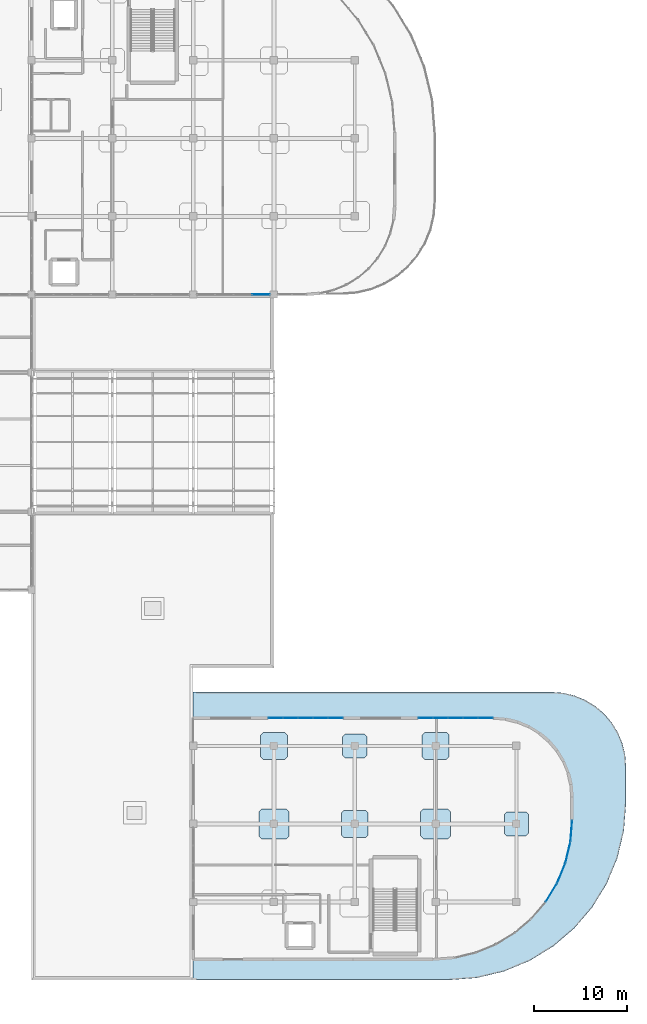
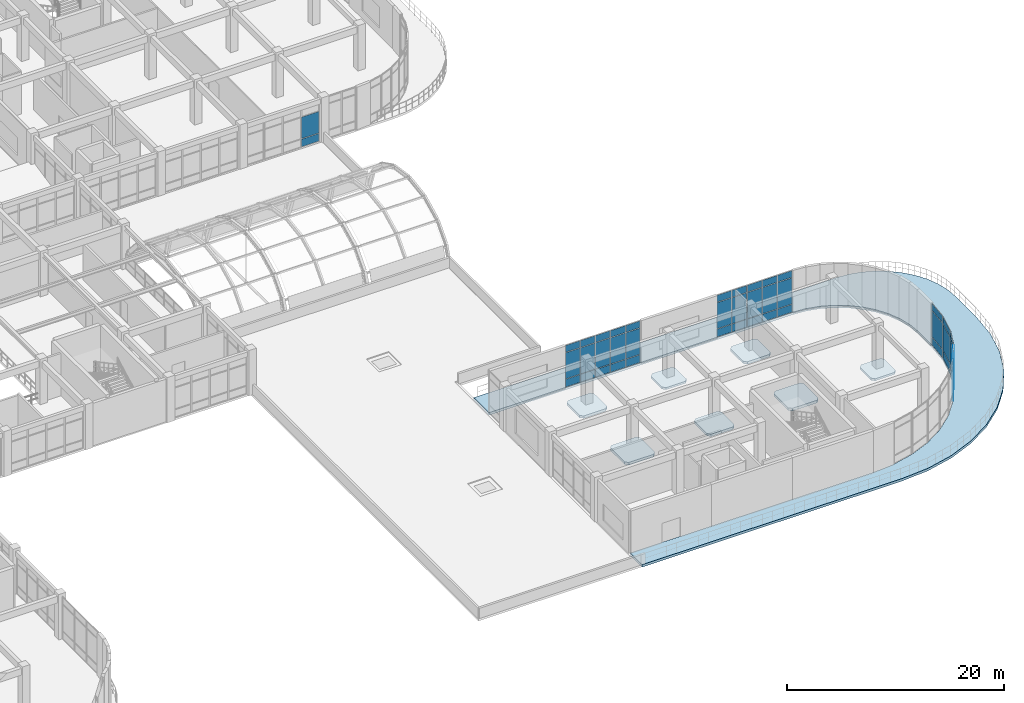
# One storey, part 101 of 124: 44 plates, 8 slabs, 7 elements without a shape of their own.
"""IFC4 building model written with IfcOpenShell, lengths in metres."""

from ifc_helpers import new_model, si_unit, derived_unit, direction, frame, origin, origin_2d, place, context, subcontext, project, spatial, polyline, rectangle, outline, extrude, material, layer, layer_set, type_object, element, aggregate, save


model = new_model("IFC4")

# Units and contexts
model_context = context("Model", 3, precision=1e-05, world=origin(), true_north=direction((0.0, 1.0)))
body_context = subcontext(model_context, "Body", "Model", "MODEL_VIEW")
ifc_project = project(units=[si_unit("LENGTHUNIT", "METRE"), si_unit("AREAUNIT", "SQUARE_METRE"), si_unit("VOLUMEUNIT", "CUBIC_METRE"), si_unit("PLANEANGLEUNIT", "RADIAN"), si_unit("MASSUNIT", "GRAM", prefix="KILO"), derived_unit("THERMALTRANSMITTANCEUNIT", [(si_unit("MASSUNIT", "GRAM", prefix="KILO"), 1), (si_unit("TIMEUNIT", "SECOND"), -3), (si_unit("THERMODYNAMICTEMPERATUREUNIT", "KELVIN"), -1)])], contexts=[model_context])

# Site, building, storey
site_placement = place(None, origin())
site = spatial("IfcSite", under=ifc_project, at=site_placement, CompositionType="ELEMENT")
building_placement = place(site_placement, origin())
building = spatial("IfcBuilding", under=site, at=building_placement, Name="Qinzheling Arcade Emporium", CompositionType="ELEMENT")
storey_placement = place(building_placement, frame((0.0, 0.0, 16.5)))
storey = spatial("IfcBuildingStorey", under=building, at=storey_placement, Name="L04", CompositionType="ELEMENT", Elevation=16.5)

# Slabs
ifc_material_1 = material(Name="Concrete C40", Category="concrete")
ifc_layer_1 = layer(ifc_material_1, 0.235107421875, Name="Concrete C40", Category="concrete")
ifc_layer_set_1 = layer_set([ifc_layer_1], Name="Concrete C40")
slab_type_1 = type_object("IfcSlabType", Name="Column Head Drop Panel 2600x2600x235 C40", PredefinedType="USERDEFINED", material=ifc_layer_set_1)
slab_1_placement = place(storey_placement, frame((0.0, 0.0, -0.530029296875)))
element("IfcSlab", 1, at=slab_1_placement, inside=storey, type_object=slab_type_1, Name="Column Drop Panel DP-L04-17-D", ObjectType="DROP_PANEL", PredefinedType="USERDEFINED", context=body_context, shape_type="SweptSolid", body=[
    extrude(outline(polyline([(138.179931640625, 23.89990234375), (140.219970703125, 23.89990234375), (140.5, 24.179931640625), (140.5, 26.219970703125), (140.219970703125, 26.5), (138.179931640625, 26.5), (137.89990234375, 26.219970703125), (137.89990234375, 24.179931640625), (138.179931640625, 23.89990234375)])), origin(), (0.0, 0.0, 1.0), 0.235107421875),
])
slab_2_placement = place(storey_placement, frame((0.0, 0.0, -0.530029296875)))
element("IfcSlab", 2, at=slab_2_placement, inside=storey, type_object=slab_type_1, Name="Column Drop Panel DP-L04-19-C", ObjectType="DROP_PANEL", PredefinedType="USERDEFINED", context=body_context, shape_type="SweptSolid", body=[
    extrude(outline(polyline([(155.580078125, 15.5), (157.6201171875, 15.5), (157.89990234375, 15.780029296875), (157.89990234375, 17.820068359375), (157.6201171875, 18.10009765625), (155.580078125, 18.10009765625), (155.300048828125, 17.820068359375), (155.300048828125, 15.780029296875), (155.580078125, 15.5)])), origin(), (0.0, 0.0, 1.0), 0.235107421875),
])
ifc_layer_2 = layer(ifc_material_1, 0.27001953125, Name="Concrete C40", Category="concrete")
ifc_layer_set_2 = layer_set([ifc_layer_2], Name="Concrete C40")
slab_type_2 = type_object("IfcSlabType", Name="Column Head Drop Panel 2900x2900x270 C40", PredefinedType="USERDEFINED", material=ifc_layer_set_2)
slab_3_placement = place(storey_placement, frame((0.0, 0.0, -0.56494140625)))
element("IfcSlab", 3, at=slab_3_placement, inside=storey, type_object=slab_type_2, Name="Column Drop Panel DP-L04-16-D", ObjectType="DROP_PANEL", PredefinedType="USERDEFINED", context=body_context, shape_type="SweptSolid", body=[
    extrude(outline(polyline([(129.330078125, 23.75), (131.669921875, 23.75), (131.949951171875, 24.030029296875), (131.949951171875, 26.3701171875), (131.669921875, 26.64990234375), (129.330078125, 26.64990234375), (129.050048828125, 26.3701171875), (129.050048828125, 24.030029296875), (129.330078125, 23.75)])), origin(), (0.0, 0.0, 1.0), 0.27001953125),
])
slab_4_placement = place(storey_placement, frame((0.0, 0.0, -0.56494140625)))
element("IfcSlab", 4, at=slab_4_placement, inside=storey, type_object=slab_type_2, Name="Column Drop Panel DP-L04-17-C", ObjectType="DROP_PANEL", PredefinedType="USERDEFINED", context=body_context, shape_type="SweptSolid", body=[
    extrude(outline(polyline([(138.030029296875, 15.35009765625), (140.3701171875, 15.35009765625), (140.64990234375, 15.6298828125), (140.64990234375, 17.969970703125), (140.3701171875, 18.25), (138.030029296875, 18.25), (137.75, 17.969970703125), (137.75, 15.6298828125), (138.030029296875, 15.35009765625)])), origin(), (0.0, 0.0, 1.0), 0.27001953125),
])
slab_5_placement = place(storey_placement, frame((0.0, 0.0, -0.56494140625)))
element("IfcSlab", 5, at=slab_5_placement, inside=storey, type_object=slab_type_2, Name="Column Drop Panel DP-L04-18-D", ObjectType="DROP_PANEL", PredefinedType="USERDEFINED", context=body_context, shape_type="SweptSolid", body=[
    extrude(outline(polyline([(146.72998046875, 23.75), (149.070068359375, 23.75), (149.35009765625, 24.030029296875), (149.35009765625, 26.3701171875), (149.070068359375, 26.64990234375), (146.72998046875, 26.64990234375), (146.449951171875, 26.3701171875), (146.449951171875, 24.030029296875), (146.72998046875, 23.75)])), origin(), (0.0, 0.0, 1.0), 0.27001953125),
])
ifc_layer_3 = layer(ifc_material_1, 0.300048828125, Name="Concrete C40", Category="concrete")
ifc_layer_set_3 = layer_set([ifc_layer_3], Name="Concrete C40")
slab_type_3 = type_object("IfcSlabType", Name="Column Head Drop Panel 3200x3200x300 C40", PredefinedType="USERDEFINED", material=ifc_layer_set_3)
slab_6_placement = place(storey_placement, frame((0.0, 0.0, -0.594970703125)))
element("IfcSlab", 6, at=slab_6_placement, inside=storey, type_object=slab_type_3, Name="Column Drop Panel DP-L04-16-C", ObjectType="DROP_PANEL", PredefinedType="USERDEFINED", context=body_context, shape_type="SweptSolid", body=[
    extrude(outline(polyline([(129.179931640625, 15.199951171875), (131.820068359375, 15.199951171875), (132.10009765625, 15.47998046875), (132.10009765625, 18.1201171875), (131.820068359375, 18.39990234375), (129.179931640625, 18.39990234375), (128.89990234375, 18.1201171875), (128.89990234375, 15.47998046875), (129.179931640625, 15.199951171875)])), origin(), (0.0, 0.0, 1.0), 0.300048828125),
])
slab_7_placement = place(storey_placement, frame((0.0, 0.0, -0.594970703125)))
element("IfcSlab", 7, at=slab_7_placement, inside=storey, type_object=slab_type_3, Name="Column Drop Panel DP-L04-18-C", ObjectType="DROP_PANEL", PredefinedType="USERDEFINED", context=body_context, shape_type="SweptSolid", body=[
    extrude(outline(polyline([(146.580078125, 15.199951171875), (149.219970703125, 15.199951171875), (149.5, 15.47998046875), (149.5, 18.1201171875), (149.219970703125, 18.39990234375), (146.580078125, 18.39990234375), (146.300048828125, 18.1201171875), (146.300048828125, 15.47998046875), (146.580078125, 15.199951171875)])), origin(), (0.0, 0.0, 1.0), 0.300048828125),
])

# Curtain wall, plates
ifc_material_2 = material(Name="Anodised aluminium and solar-control double glazing", Category="aluminium")
ifc_layer_4 = layer(ifc_material_2, 0.159912109375, Name="Anodised aluminium and solar-control double glazing", Category="aluminium")
ifc_layer_set_4 = layer_set([ifc_layer_4], Name="Anodised aluminium and solar-control double glazing")
curtain_wall_type_1 = type_object("IfcCurtainWallType", Name="Food Hall Loggia Curtain Wall", PredefinedType="NOTDEFINED", material=ifc_layer_set_4)
curtain_wall_1_placement = place(storey_placement, origin())
curtain_wall_1 = element("IfcCurtainWall", 8, at=curtain_wall_1_placement, inside=storey, type_object=curtain_wall_type_1, Name="Curtain Wall CW-L04-208", PredefinedType="NOTDEFINED")
ifc_material_3 = material(Name="Laminated solar-control double glazing", Category="glass")
ifc_layer_5 = layer(ifc_material_3, 0.02490234375, Name="Laminated solar-control double glazing", Category="glass")
ifc_layer_set_5 = layer_set([ifc_layer_5], Name="Laminated solar-control double glazing")
plate_type_1 = type_object("IfcPlateType", Name="Low-E Double Glazed Curtain Panel 25mm", PredefinedType="CURTAIN_PANEL", material=ifc_layer_set_5)
plate_1_placement = place(storey_placement, frame((162.507568359375, 16.026611328125, 0.06005859375), z_axis=(0.0, 0.0, 1.0), x_axis=(-0.078580290076, -0.996907788119, 0.0)))
plate_1 = element("IfcPlate", 9, at=plate_1_placement, type_object=plate_type_1, Name="CW04 panel 1.1", PredefinedType="CURTAIN_PANEL", context=body_context, shape_type="SweptSolid", body=[
    extrude(rectangle(XDim=2.234375, YDim=0.02490234375, at=origin_2d()), origin(), (0.0, 0.0, 1.0), 0.860107421875),
])
plate_2_placement = place(storey_placement, frame((162.507568359375, 16.026611328125, 0.97998046875), z_axis=(0.0, 0.0, 1.0), x_axis=(-0.078580290076, -0.996907788119, 0.0)))
plate_2 = element("IfcPlate", 10, at=plate_2_placement, type_object=plate_type_1, Name="CW04 panel 1.2", PredefinedType="CURTAIN_PANEL", context=body_context, shape_type="SweptSolid", body=[
    extrude(rectangle(XDim=2.234375, YDim=0.02490234375, at=origin_2d()), origin(), (0.0, 0.0, 1.0), 2.929931640625),
])
plate_3_placement = place(storey_placement, frame((162.507568359375, 16.026611328125, 3.97021484375), z_axis=(0.0, 0.0, 1.0), x_axis=(-0.078580290076, -0.996907788119, 0.0)))
plate_3 = element("IfcPlate", 11, at=plate_3_placement, type_object=plate_type_1, Name="CW04 panel 1.3", PredefinedType="CURTAIN_PANEL", context=body_context, shape_type="SweptSolid", body=[
    extrude(rectangle(XDim=2.234375, YDim=0.02490234375, at=origin_2d()), origin(), (0.0, 0.0, 1.0), 0.760009765625),
])
aggregate(curtain_wall_1, [plate_1, plate_2, plate_3])

ifc_layer_6 = layer(ifc_material_2, 0.159912109375, Name="Anodised aluminium and solar-control double glazing", Category="aluminium")
ifc_layer_set_6 = layer_set([ifc_layer_6], Name="Anodised aluminium and solar-control double glazing")
curtain_wall_type_2 = type_object("IfcCurtainWallType", Name="Curved Ribbon Sales Curtain Wall", PredefinedType="NOTDEFINED", material=ifc_layer_set_6)
curtain_wall_2_placement = place(storey_placement, origin())
curtain_wall_2 = element("IfcCurtainWall", 12, at=curtain_wall_2_placement, inside=storey, type_object=curtain_wall_type_2, Name="Curtain Wall CW-L04-209", PredefinedType="NOTDEFINED")
ifc_layer_7 = layer(ifc_material_3, 0.02587890625, Name="Laminated solar-control double glazing", Category="glass")
ifc_layer_set_7 = layer_set([ifc_layer_7], Name="Laminated solar-control double glazing")
plate_type_2 = type_object("IfcPlateType", Name="Low-E Double Glazed Curtain Panel 26mm", PredefinedType="CURTAIN_PANEL", material=ifc_layer_set_7)
plate_4_placement = place(storey_placement, frame((162.140380859375, 13.708984375, 0.06005859375), z_axis=(0.0, 0.0, 1.0), x_axis=(-0.233324729854, -0.972398874145, 0.0)))
plate_4 = element("IfcPlate", 13, at=plate_4_placement, type_object=plate_type_2, Name="CW02 panel 1.1", PredefinedType="CURTAIN_PANEL", context=body_context, shape_type="SweptSolid", body=[
    extrude(rectangle(XDim=2.23291015625, YDim=0.02587890625, at=origin_2d()), origin(), (0.0, 0.0, 1.0), 0.860107421875),
])
plate_5_placement = place(storey_placement, frame((162.140380859375, 13.708984375, 0.97998046875), z_axis=(0.0, 0.0, 1.0), x_axis=(-0.233324729854, -0.972398874145, 0.0)))
plate_5 = element("IfcPlate", 14, at=plate_5_placement, type_object=plate_type_2, Name="CW02 panel 1.2", PredefinedType="CURTAIN_PANEL", context=body_context, shape_type="SweptSolid", body=[
    extrude(rectangle(XDim=2.23291015625, YDim=0.02587890625, at=origin_2d()), origin(), (0.0, 0.0, 1.0), 2.929931640625),
])
plate_6_placement = place(storey_placement, frame((162.140380859375, 13.708984375, 3.97021484375), z_axis=(0.0, 0.0, 1.0), x_axis=(-0.233324729854, -0.972398874145, 0.0)))
plate_6 = element("IfcPlate", 15, at=plate_6_placement, type_object=plate_type_2, Name="CW02 panel 1.3", PredefinedType="CURTAIN_PANEL", context=body_context, shape_type="SweptSolid", body=[
    extrude(rectangle(XDim=2.23291015625, YDim=0.02587890625, at=origin_2d()), origin(), (0.0, 0.0, 1.0), 0.760009765625),
])
aggregate(curtain_wall_2, [plate_4, plate_5, plate_6])

curtain_wall_3_placement = place(storey_placement, origin())
curtain_wall_3 = element("IfcCurtainWall", 16, at=curtain_wall_3_placement, inside=storey, type_object=curtain_wall_type_2, Name="Curtain Wall CW-L04-210", PredefinedType="NOTDEFINED")
ifc_layer_8 = layer(ifc_material_3, 0.027099609375, Name="Laminated solar-control double glazing", Category="glass")
ifc_layer_set_8 = layer_set([ifc_layer_8], Name="Laminated solar-control double glazing")
plate_type_3 = type_object("IfcPlateType", Name="Low-E Double Glazed Curtain Panel 27mm", PredefinedType="CURTAIN_PANEL", material=ifc_layer_set_8)
plate_7_placement = place(storey_placement, frame((161.41552734375, 11.4775390625, 0.06005859375), z_axis=(0.0, 0.0, 1.0), x_axis=(-0.382714431752, -0.923866691535, 0.0)))
plate_7 = element("IfcPlate", 17, at=plate_7_placement, type_object=plate_type_3, Name="CW02 panel 1.1", PredefinedType="CURTAIN_PANEL", context=body_context, shape_type="SweptSolid", body=[
    extrude(rectangle(XDim=2.234130859375, YDim=0.027099609375, at=origin_2d()), origin(), (0.0, 0.0, 1.0), 0.860107421875),
])
plate_8_placement = place(storey_placement, frame((161.41552734375, 11.4775390625, 0.97998046875), z_axis=(0.0, 0.0, 1.0), x_axis=(-0.382714431752, -0.923866691535, 0.0)))
plate_8 = element("IfcPlate", 18, at=plate_8_placement, type_object=plate_type_3, Name="CW02 panel 1.2", PredefinedType="CURTAIN_PANEL", context=body_context, shape_type="SweptSolid", body=[
    extrude(rectangle(XDim=2.234130859375, YDim=0.027099609375, at=origin_2d()), origin(), (0.0, 0.0, 1.0), 2.929931640625),
])
plate_9_placement = place(storey_placement, frame((161.41552734375, 11.4775390625, 3.97021484375), z_axis=(0.0, 0.0, 1.0), x_axis=(-0.382714431752, -0.923866691535, 0.0)))
plate_9 = element("IfcPlate", 19, at=plate_9_placement, type_object=plate_type_3, Name="CW02 panel 1.3", PredefinedType="CURTAIN_PANEL", context=body_context, shape_type="SweptSolid", body=[
    extrude(rectangle(XDim=2.234130859375, YDim=0.027099609375, at=origin_2d()), origin(), (0.0, 0.0, 1.0), 0.760009765625),
])
aggregate(curtain_wall_3, [plate_7, plate_8, plate_9])

curtain_wall_4_placement = place(storey_placement, origin())
curtain_wall_4 = element("IfcCurtainWall", 20, at=curtain_wall_4_placement, inside=storey, type_object=curtain_wall_type_2, Name="Curtain Wall CW-L04-211", PredefinedType="NOTDEFINED")
ifc_layer_9 = layer(ifc_material_3, 0.028076171875, Name="Laminated solar-control double glazing", Category="glass")
ifc_layer_set_9 = layer_set([ifc_layer_9], Name="Laminated solar-control double glazing")
plate_type_4 = type_object("IfcPlateType", Name="Low-E Double Glazed Curtain Panel 28mm", PredefinedType="CURTAIN_PANEL", material=ifc_layer_set_9)
plate_10_placement = place(storey_placement, frame((160.35009765625, 9.386474609375, 0.06005859375), z_axis=(0.0, 0.0, 1.0), x_axis=(-0.522532172191, -0.852619568756, 0.0)))
plate_10 = element("IfcPlate", 21, at=plate_10_placement, type_object=plate_type_4, Name="CW02 panel 1.1", PredefinedType="CURTAIN_PANEL", context=body_context, shape_type="SweptSolid", body=[
    extrude(rectangle(XDim=2.23388671875, YDim=0.028076171875, at=origin_2d()), origin(), (0.0, 0.0, 1.0), 0.860107421875),
])
plate_11_placement = place(storey_placement, frame((160.35009765625, 9.386474609375, 0.97998046875), z_axis=(0.0, 0.0, 1.0), x_axis=(-0.522532172191, -0.852619568756, 0.0)))
plate_11 = element("IfcPlate", 22, at=plate_11_placement, type_object=plate_type_4, Name="CW02 panel 1.2", PredefinedType="CURTAIN_PANEL", context=body_context, shape_type="SweptSolid", body=[
    extrude(rectangle(XDim=2.23388671875, YDim=0.028076171875, at=origin_2d()), origin(), (0.0, 0.0, 1.0), 2.929931640625),
])
plate_12_placement = place(storey_placement, frame((160.35009765625, 9.386474609375, 3.97021484375), z_axis=(0.0, 0.0, 1.0), x_axis=(-0.522532172191, -0.852619568756, 0.0)))
plate_12 = element("IfcPlate", 23, at=plate_12_placement, type_object=plate_type_4, Name="CW02 panel 1.3", PredefinedType="CURTAIN_PANEL", context=body_context, shape_type="SweptSolid", body=[
    extrude(rectangle(XDim=2.23388671875, YDim=0.028076171875, at=origin_2d()), origin(), (0.0, 0.0, 1.0), 0.760009765625),
])
aggregate(curtain_wall_4, [plate_10, plate_11, plate_12])

curtain_wall_5_placement = place(storey_placement, origin())
curtain_wall_5 = element("IfcCurtainWall", 24, at=curtain_wall_5_placement, inside=storey, type_object=curtain_wall_type_1, Name="Curtain Wall CW-L04-219", PredefinedType="NOTDEFINED")
ifc_layer_10 = layer(ifc_material_3, 0.0400390625, Name="Laminated solar-control double glazing", Category="glass")
ifc_layer_set_10 = layer_set([ifc_layer_10], Name="Laminated solar-control double glazing")
plate_type_5 = type_object("IfcPlateType", Name="Low-E Double Glazed Curtain Panel 40mm", PredefinedType="CURTAIN_PANEL", material=ifc_layer_set_10)
plate_13_placement = place(storey_placement, frame((130.69921875, 28.199951171875, 0.06005859375), z_axis=(0.0, 0.0, 1.0), x_axis=(1.0, 0.0, 0.0)))
plate_13 = element("IfcPlate", 25, at=plate_13_placement, type_object=plate_type_5, Name="CW04 panel 1.1", PredefinedType="CURTAIN_PANEL", context=body_context, shape_type="SweptSolid", body=[
    extrude(rectangle(XDim=1.524169921875, YDim=0.0400390625, at=origin_2d()), origin(), (0.0, 0.0, 1.0), 0.860107421875),
])
plate_14_placement = place(storey_placement, frame((130.69921875, 28.199951171875, 0.97998046875), z_axis=(0.0, 0.0, 1.0), x_axis=(1.0, 0.0, 0.0)))
plate_14 = element("IfcPlate", 26, at=plate_14_placement, type_object=plate_type_5, Name="CW04 panel 1.2", PredefinedType="CURTAIN_PANEL", context=body_context, shape_type="SweptSolid", body=[
    extrude(rectangle(XDim=1.524169921875, YDim=0.0400390625, at=origin_2d()), origin(), (0.0, 0.0, 1.0), 2.929931640625),
])
plate_15_placement = place(storey_placement, frame((130.69921875, 28.199951171875, 3.97021484375), z_axis=(0.0, 0.0, 1.0), x_axis=(1.0, 0.0, 0.0)))
plate_15 = element("IfcPlate", 27, at=plate_15_placement, type_object=plate_type_5, Name="CW04 panel 1.3", PredefinedType="CURTAIN_PANEL", context=body_context, shape_type="SweptSolid", body=[
    extrude(rectangle(XDim=1.524169921875, YDim=0.0400390625, at=origin_2d()), origin(), (0.0, 0.0, 1.0), 0.760009765625),
])
plate_16_placement = place(storey_placement, frame((132.29833984375, 28.199951171875, 0.06005859375), z_axis=(0.0, 0.0, 1.0), x_axis=(1.0, 0.0, 0.0)))
plate_16 = element("IfcPlate", 28, at=plate_16_placement, type_object=plate_type_5, Name="CW04 panel 2.1", PredefinedType="CURTAIN_PANEL", context=body_context, shape_type="SweptSolid", body=[
    extrude(rectangle(XDim=1.55419921875, YDim=0.0400390625, at=origin_2d()), origin(), (0.0, 0.0, 1.0), 0.860107421875),
])
plate_17_placement = place(storey_placement, frame((132.29833984375, 28.199951171875, 0.97998046875), z_axis=(0.0, 0.0, 1.0), x_axis=(1.0, 0.0, 0.0)))
plate_17 = element("IfcPlate", 29, at=plate_17_placement, type_object=plate_type_5, Name="CW04 panel 2.2", PredefinedType="CURTAIN_PANEL", context=body_context, shape_type="SweptSolid", body=[
    extrude(rectangle(XDim=1.55419921875, YDim=0.0400390625, at=origin_2d()), origin(), (0.0, 0.0, 1.0), 2.929931640625),
])
plate_18_placement = place(storey_placement, frame((132.29833984375, 28.199951171875, 3.97021484375), z_axis=(0.0, 0.0, 1.0), x_axis=(1.0, 0.0, 0.0)))
plate_18 = element("IfcPlate", 30, at=plate_18_placement, type_object=plate_type_5, Name="CW04 panel 2.3", PredefinedType="CURTAIN_PANEL", context=body_context, shape_type="SweptSolid", body=[
    extrude(rectangle(XDim=1.55419921875, YDim=0.0400390625, at=origin_2d()), origin(), (0.0, 0.0, 1.0), 0.760009765625),
])
plate_19_placement = place(storey_placement, frame((133.91259765625, 28.199951171875, 0.06005859375), z_axis=(0.0, 0.0, 1.0), x_axis=(1.0, 0.0, 0.0)))
plate_19 = element("IfcPlate", 31, at=plate_19_placement, type_object=plate_type_5, Name="CW04 panel 3.1", PredefinedType="CURTAIN_PANEL", context=body_context, shape_type="SweptSolid", body=[
    extrude(rectangle(XDim=1.55419921875, YDim=0.0400390625, at=origin_2d()), origin(), (0.0, 0.0, 1.0), 0.860107421875),
])
plate_20_placement = place(storey_placement, frame((133.91259765625, 28.199951171875, 0.97998046875), z_axis=(0.0, 0.0, 1.0), x_axis=(1.0, 0.0, 0.0)))
plate_20 = element("IfcPlate", 32, at=plate_20_placement, type_object=plate_type_5, Name="CW04 panel 3.2", PredefinedType="CURTAIN_PANEL", context=body_context, shape_type="SweptSolid", body=[
    extrude(rectangle(XDim=1.55419921875, YDim=0.0400390625, at=origin_2d()), origin(), (0.0, 0.0, 1.0), 2.929931640625),
])
plate_21_placement = place(storey_placement, frame((133.91259765625, 28.199951171875, 3.97021484375), z_axis=(0.0, 0.0, 1.0), x_axis=(1.0, 0.0, 0.0)))
plate_21 = element("IfcPlate", 33, at=plate_21_placement, type_object=plate_type_5, Name="CW04 panel 3.3", PredefinedType="CURTAIN_PANEL", context=body_context, shape_type="SweptSolid", body=[
    extrude(rectangle(XDim=1.55419921875, YDim=0.0400390625, at=origin_2d()), origin(), (0.0, 0.0, 1.0), 0.760009765625),
])
plate_22_placement = place(storey_placement, frame((135.526611328125, 28.199951171875, 0.06005859375), z_axis=(0.0, 0.0, 1.0), x_axis=(1.0, 0.0, 0.0)))
plate_22 = element("IfcPlate", 34, at=plate_22_placement, type_object=plate_type_5, Name="CW04 panel 4.1", PredefinedType="CURTAIN_PANEL", context=body_context, shape_type="SweptSolid", body=[
    extrude(rectangle(XDim=1.55419921875, YDim=0.0400390625, at=origin_2d()), origin(), (0.0, 0.0, 1.0), 0.860107421875),
])
plate_23_placement = place(storey_placement, frame((135.526611328125, 28.199951171875, 0.97998046875), z_axis=(0.0, 0.0, 1.0), x_axis=(1.0, 0.0, 0.0)))
plate_23 = element("IfcPlate", 35, at=plate_23_placement, type_object=plate_type_5, Name="CW04 panel 4.2", PredefinedType="CURTAIN_PANEL", context=body_context, shape_type="SweptSolid", body=[
    extrude(rectangle(XDim=1.55419921875, YDim=0.0400390625, at=origin_2d()), origin(), (0.0, 0.0, 1.0), 2.929931640625),
])
plate_24_placement = place(storey_placement, frame((135.526611328125, 28.199951171875, 3.97021484375), z_axis=(0.0, 0.0, 1.0), x_axis=(1.0, 0.0, 0.0)))
plate_24 = element("IfcPlate", 36, at=plate_24_placement, type_object=plate_type_5, Name="CW04 panel 4.3", PredefinedType="CURTAIN_PANEL", context=body_context, shape_type="SweptSolid", body=[
    extrude(rectangle(XDim=1.55419921875, YDim=0.0400390625, at=origin_2d()), origin(), (0.0, 0.0, 1.0), 0.760009765625),
])
plate_25_placement = place(storey_placement, frame((137.1259765625, 28.199951171875, 0.06005859375), z_axis=(0.0, 0.0, 1.0), x_axis=(1.0, 0.0, 0.0)))
plate_25 = element("IfcPlate", 37, at=plate_25_placement, type_object=plate_type_5, Name="CW04 panel 5.1", PredefinedType="CURTAIN_PANEL", context=body_context, shape_type="SweptSolid", body=[
    extrude(rectangle(XDim=1.524169921875, YDim=0.0400390625, at=origin_2d()), origin(), (0.0, 0.0, 1.0), 0.860107421875),
])
plate_26_placement = place(storey_placement, frame((137.1259765625, 28.199951171875, 0.97998046875), z_axis=(0.0, 0.0, 1.0), x_axis=(1.0, 0.0, 0.0)))
plate_26 = element("IfcPlate", 38, at=plate_26_placement, type_object=plate_type_5, Name="CW04 panel 5.2", PredefinedType="CURTAIN_PANEL", context=body_context, shape_type="SweptSolid", body=[
    extrude(rectangle(XDim=1.524169921875, YDim=0.0400390625, at=origin_2d()), origin(), (0.0, 0.0, 1.0), 2.929931640625),
])
plate_27_placement = place(storey_placement, frame((137.1259765625, 28.199951171875, 3.97021484375), z_axis=(0.0, 0.0, 1.0), x_axis=(1.0, 0.0, 0.0)))
plate_27 = element("IfcPlate", 39, at=plate_27_placement, type_object=plate_type_5, Name="CW04 panel 5.3", PredefinedType="CURTAIN_PANEL", context=body_context, shape_type="SweptSolid", body=[
    extrude(rectangle(XDim=1.524169921875, YDim=0.0400390625, at=origin_2d()), origin(), (0.0, 0.0, 1.0), 0.760009765625),
])
aggregate(curtain_wall_5, [plate_13, plate_14, plate_15, plate_16, plate_17, plate_18, plate_19, plate_20, plate_21, plate_22, plate_23, plate_24, plate_25, plate_26, plate_27])

ifc_layer_11 = layer(ifc_material_2, 0.159912109375, Name="Anodised aluminium and solar-control double glazing", Category="aluminium")
ifc_layer_set_11 = layer_set([ifc_layer_11], Name="Anodised aluminium and solar-control double glazing")
curtain_wall_type_3 = type_object("IfcCurtainWallType", Name="Arcade Portal Glazed Curtain Wall", PredefinedType="NOTDEFINED", material=ifc_layer_set_11)
curtain_wall_6_placement = place(storey_placement, origin())
curtain_wall_6 = element("IfcCurtainWall", 40, at=curtain_wall_6_placement, inside=storey, type_object=curtain_wall_type_3, Name="Curtain Wall CW-L04-283", PredefinedType="NOTDEFINED")
plate_28_placement = place(storey_placement, frame((129.095947265625, 73.800048828125, 0.06005859375), z_axis=(0.0, 0.0, 1.0), x_axis=(-1.0, 0.0, 0.0)))
plate_28 = element("IfcPlate", 41, at=plate_28_placement, type_object=plate_type_5, Name="CW05 panel 1.1", PredefinedType="CURTAIN_PANEL", context=body_context, shape_type="SweptSolid", body=[
    extrude(rectangle(XDim=1.884033203125, YDim=0.0400390625, at=origin_2d()), origin(), (0.0, 0.0, 1.0), 0.860107421875),
])
plate_29_placement = place(storey_placement, frame((129.095947265625, 73.800048828125, 0.97998046875), z_axis=(0.0, 0.0, 1.0), x_axis=(-1.0, 0.0, 0.0)))
plate_29 = element("IfcPlate", 42, at=plate_29_placement, type_object=plate_type_5, Name="CW05 panel 1.2", PredefinedType="CURTAIN_PANEL", context=body_context, shape_type="SweptSolid", body=[
    extrude(rectangle(XDim=1.884033203125, YDim=0.0400390625, at=origin_2d()), origin(), (0.0, 0.0, 1.0), 2.409912109375),
])
aggregate(curtain_wall_6, [plate_28, plate_29])

curtain_wall_7_placement = place(storey_placement, origin())
curtain_wall_7 = element("IfcCurtainWall", 43, at=curtain_wall_7_placement, inside=storey, type_object=curtain_wall_type_1, Name="Curtain Wall CW-L04-220", PredefinedType="NOTDEFINED")
ifc_layer_12 = layer(ifc_material_3, 0.0419921875, Name="Laminated solar-control double glazing", Category="glass")
ifc_layer_set_12 = layer_set([ifc_layer_12], Name="Laminated solar-control double glazing")
plate_type_6 = type_object("IfcPlateType", Name="Low-E Double Glazed Curtain Panel 42mm", PredefinedType="CURTAIN_PANEL", material=ifc_layer_set_12)
plate_30_placement = place(storey_placement, frame((146.849365234375, 28.199951171875, 0.06005859375), z_axis=(0.0, 0.0, 1.0), x_axis=(1.0, 0.0, 0.0)))
plate_30 = element("IfcPlate", 44, at=plate_30_placement, type_object=plate_type_6, Name="CW04 panel 1.1", PredefinedType="CURTAIN_PANEL", context=body_context, shape_type="SweptSolid", body=[
    extrude(rectangle(XDim=1.524658203125, YDim=0.0419921875, at=origin_2d()), origin(), (0.0, 0.0, 1.0), 0.860107421875),
])
plate_31_placement = place(storey_placement, frame((146.849365234375, 28.199951171875, 0.97998046875), z_axis=(0.0, 0.0, 1.0), x_axis=(1.0, 0.0, 0.0)))
plate_31 = element("IfcPlate", 45, at=plate_31_placement, type_object=plate_type_6, Name="CW04 panel 1.2", PredefinedType="CURTAIN_PANEL", context=body_context, shape_type="SweptSolid", body=[
    extrude(rectangle(XDim=1.524658203125, YDim=0.0419921875, at=origin_2d()), origin(), (0.0, 0.0, 1.0), 2.929931640625),
])
plate_32_placement = place(storey_placement, frame((146.849365234375, 28.199951171875, 3.97021484375), z_axis=(0.0, 0.0, 1.0), x_axis=(1.0, 0.0, 0.0)))
plate_32 = element("IfcPlate", 46, at=plate_32_placement, type_object=plate_type_6, Name="CW04 panel 1.3", PredefinedType="CURTAIN_PANEL", context=body_context, shape_type="SweptSolid", body=[
    extrude(rectangle(XDim=1.524658203125, YDim=0.0419921875, at=origin_2d()), origin(), (0.0, 0.0, 1.0), 0.760009765625),
])
plate_33_placement = place(storey_placement, frame((148.448974609375, 28.199951171875, 0.06005859375), z_axis=(0.0, 0.0, 1.0), x_axis=(1.0, 0.0, 0.0)))
plate_33 = element("IfcPlate", 47, at=plate_33_placement, type_object=plate_type_6, Name="CW04 panel 2.1", PredefinedType="CURTAIN_PANEL", context=body_context, shape_type="SweptSolid", body=[
    extrude(rectangle(XDim=1.5546875, YDim=0.0419921875, at=origin_2d()), origin(), (0.0, 0.0, 1.0), 0.860107421875),
])
plate_34_placement = place(storey_placement, frame((148.448974609375, 28.199951171875, 0.97998046875), z_axis=(0.0, 0.0, 1.0), x_axis=(1.0, 0.0, 0.0)))
plate_34 = element("IfcPlate", 48, at=plate_34_placement, type_object=plate_type_6, Name="CW04 panel 2.2", PredefinedType="CURTAIN_PANEL", context=body_context, shape_type="SweptSolid", body=[
    extrude(rectangle(XDim=1.5546875, YDim=0.0419921875, at=origin_2d()), origin(), (0.0, 0.0, 1.0), 2.929931640625),
])
plate_35_placement = place(storey_placement, frame((148.448974609375, 28.199951171875, 3.97021484375), z_axis=(0.0, 0.0, 1.0), x_axis=(1.0, 0.0, 0.0)))
plate_35 = element("IfcPlate", 49, at=plate_35_placement, type_object=plate_type_6, Name="CW04 panel 2.3", PredefinedType="CURTAIN_PANEL", context=body_context, shape_type="SweptSolid", body=[
    extrude(rectangle(XDim=1.5546875, YDim=0.0419921875, at=origin_2d()), origin(), (0.0, 0.0, 1.0), 0.760009765625),
])
plate_36_placement = place(storey_placement, frame((150.0634765625, 28.199951171875, 0.06005859375), z_axis=(0.0, 0.0, 1.0), x_axis=(1.0, 0.0, 0.0)))
plate_36 = element("IfcPlate", 50, at=plate_36_placement, type_object=plate_type_6, Name="CW04 panel 3.1", PredefinedType="CURTAIN_PANEL", context=body_context, shape_type="SweptSolid", body=[
    extrude(rectangle(XDim=1.5546875, YDim=0.0419921875, at=origin_2d()), origin(), (0.0, 0.0, 1.0), 0.860107421875),
])
plate_37_placement = place(storey_placement, frame((150.0634765625, 28.199951171875, 0.97998046875), z_axis=(0.0, 0.0, 1.0), x_axis=(1.0, 0.0, 0.0)))
plate_37 = element("IfcPlate", 51, at=plate_37_placement, type_object=plate_type_6, Name="CW04 panel 3.2", PredefinedType="CURTAIN_PANEL", context=body_context, shape_type="SweptSolid", body=[
    extrude(rectangle(XDim=1.5546875, YDim=0.0419921875, at=origin_2d()), origin(), (0.0, 0.0, 1.0), 2.929931640625),
])
plate_38_placement = place(storey_placement, frame((150.0634765625, 28.199951171875, 3.97021484375), z_axis=(0.0, 0.0, 1.0), x_axis=(1.0, 0.0, 0.0)))
plate_38 = element("IfcPlate", 52, at=plate_38_placement, type_object=plate_type_6, Name="CW04 panel 3.3", PredefinedType="CURTAIN_PANEL", context=body_context, shape_type="SweptSolid", body=[
    extrude(rectangle(XDim=1.5546875, YDim=0.0419921875, at=origin_2d()), origin(), (0.0, 0.0, 1.0), 0.760009765625),
])
plate_39_placement = place(storey_placement, frame((151.677978515625, 28.199951171875, 0.06005859375), z_axis=(0.0, 0.0, 1.0), x_axis=(1.0, 0.0, 0.0)))
plate_39 = element("IfcPlate", 53, at=plate_39_placement, type_object=plate_type_6, Name="CW04 panel 4.1", PredefinedType="CURTAIN_PANEL", context=body_context, shape_type="SweptSolid", body=[
    extrude(rectangle(XDim=1.5546875, YDim=0.0419921875, at=origin_2d()), origin(), (0.0, 0.0, 1.0), 0.860107421875),
])
plate_40_placement = place(storey_placement, frame((151.677978515625, 28.199951171875, 0.97998046875), z_axis=(0.0, 0.0, 1.0), x_axis=(1.0, 0.0, 0.0)))
plate_40 = element("IfcPlate", 54, at=plate_40_placement, type_object=plate_type_6, Name="CW04 panel 4.2", PredefinedType="CURTAIN_PANEL", context=body_context, shape_type="SweptSolid", body=[
    extrude(rectangle(XDim=1.5546875, YDim=0.0419921875, at=origin_2d()), origin(), (0.0, 0.0, 1.0), 2.929931640625),
])
plate_41_placement = place(storey_placement, frame((151.677978515625, 28.199951171875, 3.97021484375), z_axis=(0.0, 0.0, 1.0), x_axis=(1.0, 0.0, 0.0)))
plate_41 = element("IfcPlate", 55, at=plate_41_placement, type_object=plate_type_6, Name="CW04 panel 4.3", PredefinedType="CURTAIN_PANEL", context=body_context, shape_type="SweptSolid", body=[
    extrude(rectangle(XDim=1.5546875, YDim=0.0419921875, at=origin_2d()), origin(), (0.0, 0.0, 1.0), 0.760009765625),
])
plate_42_placement = place(storey_placement, frame((153.277587890625, 28.199951171875, 0.06005859375), z_axis=(0.0, 0.0, 1.0), x_axis=(1.0, 0.0, 0.0)))
plate_42 = element("IfcPlate", 56, at=plate_42_placement, type_object=plate_type_6, Name="CW04 panel 5.1", PredefinedType="CURTAIN_PANEL", context=body_context, shape_type="SweptSolid", body=[
    extrude(rectangle(XDim=1.524658203125, YDim=0.0419921875, at=origin_2d()), origin(), (0.0, 0.0, 1.0), 0.860107421875),
])
plate_43_placement = place(storey_placement, frame((153.277587890625, 28.199951171875, 0.97998046875), z_axis=(0.0, 0.0, 1.0), x_axis=(1.0, 0.0, 0.0)))
plate_43 = element("IfcPlate", 57, at=plate_43_placement, type_object=plate_type_6, Name="CW04 panel 5.2", PredefinedType="CURTAIN_PANEL", context=body_context, shape_type="SweptSolid", body=[
    extrude(rectangle(XDim=1.524658203125, YDim=0.0419921875, at=origin_2d()), origin(), (0.0, 0.0, 1.0), 2.929931640625),
])
plate_44_placement = place(storey_placement, frame((153.277587890625, 28.199951171875, 3.97021484375), z_axis=(0.0, 0.0, 1.0), x_axis=(1.0, 0.0, 0.0)))
plate_44 = element("IfcPlate", 58, at=plate_44_placement, type_object=plate_type_6, Name="CW04 panel 5.3", PredefinedType="CURTAIN_PANEL", context=body_context, shape_type="SweptSolid", body=[
    extrude(rectangle(XDim=1.524658203125, YDim=0.0419921875, at=origin_2d()), origin(), (0.0, 0.0, 1.0), 0.760009765625),
])
aggregate(curtain_wall_7, [plate_30, plate_31, plate_32, plate_33, plate_34, plate_35, plate_36, plate_37, plate_38, plate_39, plate_40, plate_41, plate_42, plate_43, plate_44])

# Slab
ifc_layer_13 = layer(ifc_material_1, 0.27490234375, Name="Concrete C40", Category="concrete")
ifc_layer_set_13 = layer_set([ifc_layer_13], Name="Concrete C40")
slab_type_4 = type_object("IfcSlabType", Name="Planted Court Terrace Slab 275 C40", PredefinedType="FLOOR", material=ifc_layer_set_13)
slab_8_placement = place(storey_placement, frame((0.0, 0.0, -0.27490234375)))
element("IfcSlab", 59, at=slab_8_placement, inside=storey, type_object=slab_type_4, Name="Outdoor Terrace SLB-TR-V4-L04", PredefinedType="FLOOR", context=body_context, shape_type="SweptSolid", body=[
    extrude(outline(polyline([(121.800048828125, 31.0), (121.800048828125, 28.199951171875), (154.10009765625, 28.199951171875), (155.429931640625, 28.094970703125), (156.72705078125, 27.783935546875), (157.958984375, 27.27392578125), (159.095947265625, 26.576904296875), (160.110107421875, 25.7099609375), (160.97705078125, 24.696044921875), (161.674072265625, 23.55908203125), (162.18408203125, 22.326904296875), (162.4951171875, 21.030029296875), (162.60009765625, 19.699951171875), (162.60009765625, 17.199951171875), (162.4150390625, 14.85302734375), (161.865966796875, 12.56494140625), (160.965087890625, 10.389892578125), (159.735107421875, 8.383056640625), (158.20703125, 6.593017578125), (156.4169921875, 5.06494140625), (154.409912109375, 3.8349609375), (152.235107421875, 2.93408203125), (149.947021484375, 2.385009765625), (147.60009765625, 2.199951171875), (121.800048828125, 2.199951171875), (121.800048828125, 0.0), (149.39990234375, 0.0), (152.3720703125, 0.23388671875), (155.27099609375, 0.929931640625), (158.02587890625, 2.071044921875), (160.568115234375, 3.62890625), (162.8349609375, 5.56494140625), (164.77099609375, 7.83203125), (166.3291015625, 10.3740234375), (167.469970703125, 13.12890625), (168.166015625, 16.028076171875), (168.39990234375, 19.0), (168.39990234375, 23.0), (168.302001953125, 24.2509765625), (168.008056640625, 25.471923828125), (167.528076171875, 26.632080078125), (166.8720703125, 27.701904296875), (166.056884765625, 28.656982421875), (165.10205078125, 29.471923828125), (164.031982421875, 30.1279296875), (162.8720703125, 30.60791015625), (161.65087890625, 30.902099609375), (160.39990234375, 31.0), (121.800048828125, 31.0)])), origin(), (0.0, 0.0, 1.0), 0.27490234375),
])

save(model, "model.ifc")
